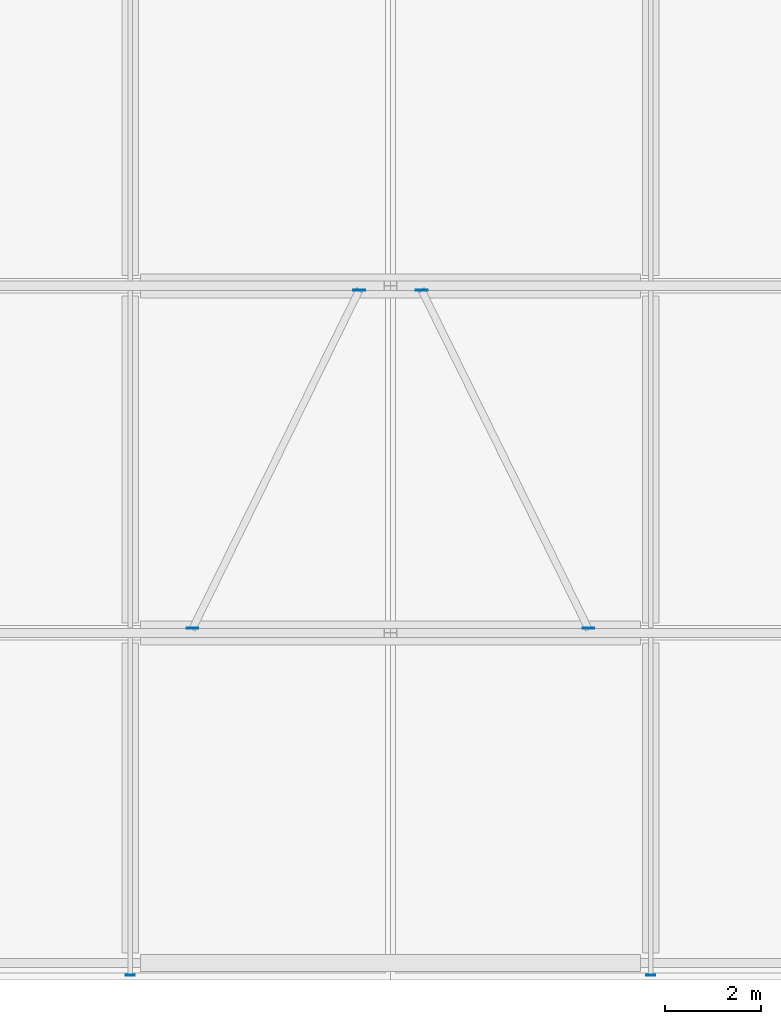
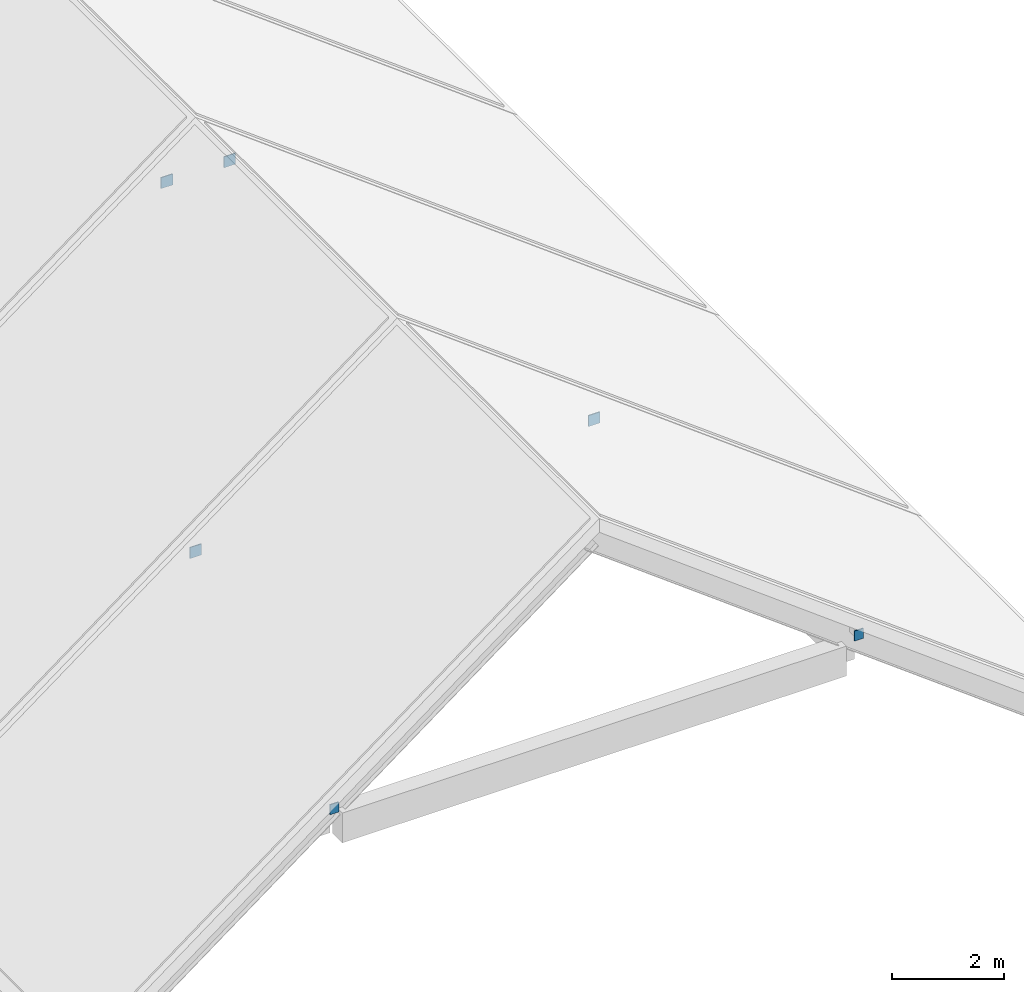
# One storey, part 10 of 16: 6 discrete accessories.
"""IFC4 building model written with IfcOpenShell, lengths in metres."""

from ifc_helpers import new_model, si_unit, derived_unit, direction, frame, origin, origin_2d, place, context, subcontext, project, spatial, rectangle, extrude, material, type_object, element, save


model = new_model("IFC4")

# Units and contexts
model_context = context("Model", 3, precision=1e-05, world=origin(), true_north=direction((0.0, 1.0)))
body_context = subcontext(model_context, "Body", "Model", "MODEL_VIEW")
ifc_project = project(units=[si_unit("LENGTHUNIT", "METRE"), si_unit("AREAUNIT", "SQUARE_METRE"), si_unit("VOLUMEUNIT", "CUBIC_METRE"), si_unit("PLANEANGLEUNIT", "RADIAN"), si_unit("MASSUNIT", "GRAM", prefix="KILO"), derived_unit("THERMALTRANSMITTANCEUNIT", [(si_unit("MASSUNIT", "GRAM", prefix="KILO"), 1), (si_unit("TIMEUNIT", "SECOND"), -3), (si_unit("THERMODYNAMICTEMPERATUREUNIT", "KELVIN"), -1)])], contexts=[model_context])

# Site, building, storey
site_placement = place(None, origin())
site = spatial("IfcSite", under=ifc_project, at=site_placement, CompositionType="ELEMENT")
building_placement = place(site_placement, origin())
building = spatial("IfcBuilding", under=site, at=building_placement, Name="Ochrekiln Boulevard Commons", CompositionType="ELEMENT")
storey_placement = place(building_placement, frame((0.0, 0.0, 43.574951171875)))
storey = spatial("IfcBuildingStorey", under=building, at=storey_placement, Name="L13", CompositionType="ELEMENT", Elevation=43.574951171875)

# Discrete accessories
ifc_material = material(Name="Steel A992 Grade 50", Category="steel")
discrete_accessory_type = type_object("IfcDiscreteAccessoryType", Name="ACC-GUS-PLATE", PredefinedType="BRACKET", material=ifc_material)
for number, where, z_axis, x_axis, name in (
    (1, (156.60009765625, 68.5, -0.18359375), (0.0, 0.0, 1.0), (1.0, 0.0, 0.0), "Block B Roof Purlin 1W.1 20 mm Seal End-Cap Plate"),
    (2, (167.39990234375, 68.5, -0.18359375), (0.0, 0.0, 1.0), (1.0, 0.0, 0.0), "Block B Roof Purlin 1E.1 20 mm Seal End-Cap Plate"),
):
    element("IfcDiscreteAccessory", number, at=place(storey_placement, frame(where, z_axis=z_axis, x_axis=x_axis)), inside=storey, type_object=discrete_accessory_type, Name=name, PredefinedType="BRACKET", context=body_context, shape_type="SweptSolid", body=[
        extrude(rectangle(XDim=0.179931640625, YDim=0.02001953125, at=origin_2d()), origin(), (0.0, 0.0, 1.0), 0.219970703125),
    ])
for number, where, z_axis, x_axis, name in (
    (3, (157.89599609375, 75.695068359375, 0.58642578125), (0.0, 0.0, 1.0), (1.0, 0.0, 0.0), "Block B Brace 2W End Gusset Plate A"),
    (4, (161.35205078125, 82.705078125, 3.17822265625), (0.0, 0.0, 1.0), (1.0, 0.0, 0.0), "Block B Brace 2W End Gusset Plate B"),
    (5, (166.10400390625, 75.695068359375, 0.58642578125), (0.0, 0.0, 1.0), (1.0, 0.0, 0.0), "Block B Brace 2E End Gusset Plate A"),
    (6, (162.64794921875, 82.705078125, 3.17822265625), (0.0, 0.0, 1.0), (1.0, 0.0, 0.0), "Block B Brace 2E End Gusset Plate B"),
):
    element("IfcDiscreteAccessory", number, at=place(storey_placement, frame(where, z_axis=z_axis, x_axis=x_axis)), inside=storey, type_object=discrete_accessory_type, Name=name, PredefinedType="BRACKET", context=body_context, shape_type="SweptSolid", body=[
        extrude(rectangle(XDim=0.239990234375, YDim=0.02001953125, at=origin_2d()), origin(), (0.0, 0.0, 1.0), 0.239990234375),
    ])

save(model, "model.ifc")
